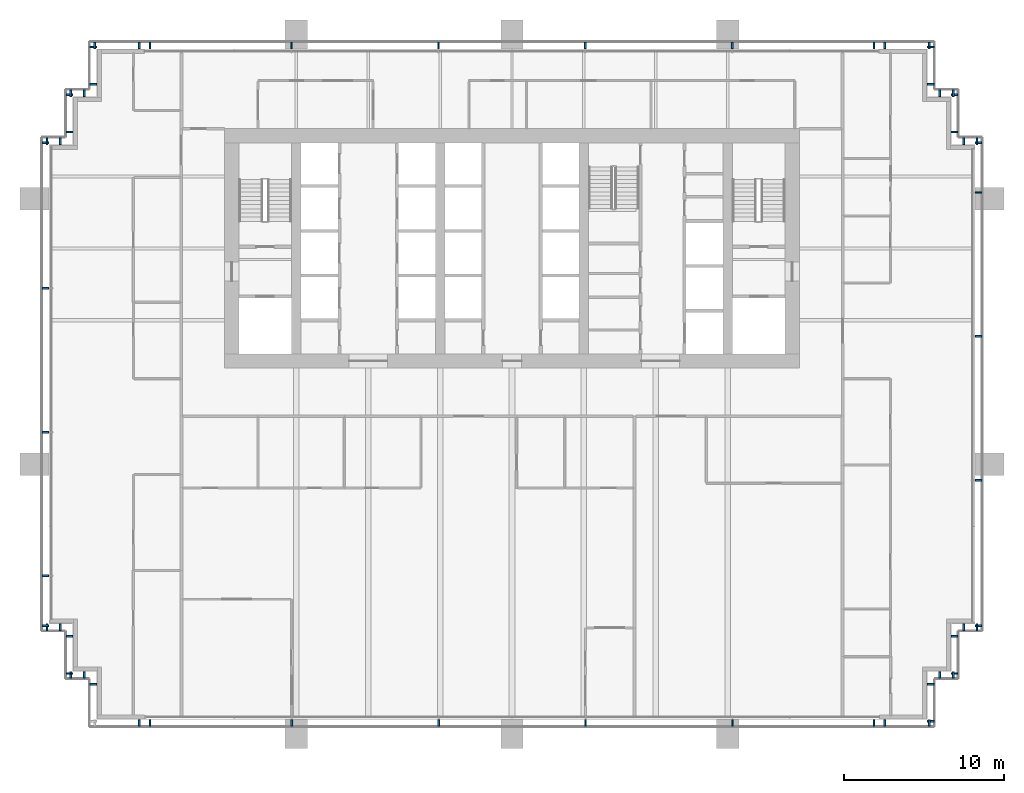
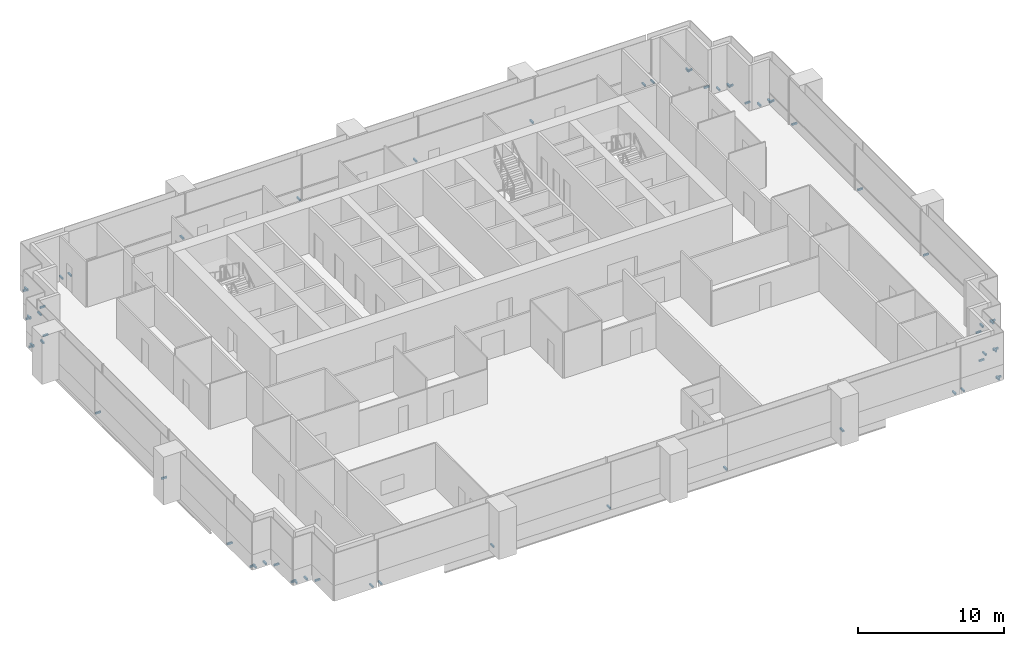
# One storey, part 15 of 18: 60 discrete accessories.
"""IFC4 building model written with IfcOpenShell, lengths in metres."""

from ifc_helpers import new_model, si_unit, direction, frame, origin, origin_2d, place, context, subcontext, project, spatial, rectangle, extrude, element, save


model = new_model("IFC4")

# Units and contexts
model_context = context("Model", 3, precision=1e-05, world=origin(), true_north=direction((0.0, 1.0)))
body_context = subcontext(model_context, "Body", "Model", "MODEL_VIEW")
ifc_project = project(units=[si_unit("LENGTHUNIT", "METRE"), si_unit("AREAUNIT", "SQUARE_METRE"), si_unit("VOLUMEUNIT", "CUBIC_METRE"), si_unit("PLANEANGLEUNIT", "RADIAN"), si_unit("MASSUNIT", "GRAM", prefix="KILO")], contexts=[model_context])

# Site, building, storey
site_placement = place(None, origin())
site = spatial("IfcSite", under=ifc_project, at=site_placement, CompositionType="ELEMENT")
building_placement = place(site_placement, origin())
building = spatial("IfcBuilding", under=site, at=building_placement, Name="Rattan Terrace Tower", CompositionType="ELEMENT")
storey_placement = place(building_placement, frame((0.0, 0.0, 134.10009765625)))
storey = spatial("IfcBuildingStorey", under=building, at=storey_placement, Name="L30", CompositionType="ELEMENT", Elevation=134.10009765625)

# Discrete accessories
for number, where, z_axis, x_axis, name in (
    (1, (23.340087890625, -29.7099609375, -0.169921875), (0.0, 0.0, 1.0), (1.0, 0.0, 0.0), "Panel bracket L30-1"),
    (2, (26.110107421875, -29.7099609375, -0.169921875), (0.0, 0.0, 1.0), (1.0, 0.0, 0.0), "Panel bracket L30-2"),
    (3, (26.2099609375, -29.610107421875, -0.169921875), (0.0, 0.0, 1.0), (0.0, 1.0, 0.0), "Panel bracket L30-3"),
    (4, (26.2099609375, -27.2900390625, -0.169921875), (0.0, 0.0, 1.0), (0.0, 1.0, 0.0), "Panel bracket L30-4"),
    (5, (26.7900390625, -26.7099609375, -0.169921875), (0.0, 0.0, 1.0), (1.0, 0.0, 0.0), "Panel bracket L30-5"),
    (6, (27.610107421875, -26.7099609375, -0.169921875), (0.0, 0.0, 1.0), (1.0, 0.0, 0.0), "Panel bracket L30-6"),
    (7, (27.7099609375, -26.610107421875, -0.169921875), (0.0, 0.0, 1.0), (0.0, 1.0, 0.0), "Panel bracket L30-7"),
    (8, (27.7099609375, -24.2900390625, -0.169921875), (0.0, 0.0, 1.0), (0.0, 1.0, 0.0), "Panel bracket L30-8"),
    (9, (28.2900390625, -23.7099609375, -0.169921875), (0.0, 0.0, 1.0), (1.0, 0.0, 0.0), "Panel bracket L30-9"),
    (10, (29.110107421875, -23.7099609375, -0.169921875), (0.0, 0.0, 1.0), (1.0, 0.0, 0.0), "Panel bracket L30-10"),
    (11, (29.2099609375, -23.610107421875, -0.169921875), (0.0, 0.0, 1.0), (0.0, 1.0, 0.0), "Panel bracket L30-11"),
    (12, (29.2099609375, -14.5, -0.169921875), (0.0, 0.0, 1.0), (0.0, 1.0, 0.0), "Panel bracket L30-12"),
    (13, (29.2099609375, -5.5, -0.169921875), (0.0, 0.0, 1.0), (0.0, 1.0, 0.0), "Panel bracket L30-13"),
    (14, (29.2099609375, 3.5, -0.169921875), (0.0, 0.0, 1.0), (0.0, 1.0, 0.0), "Panel bracket L30-14"),
    (15, (29.2099609375, 6.610107421875, -0.169921875), (0.0, 0.0, 1.0), (0.0, 1.0, 0.0), "Panel bracket L30-15"),
    (16, (29.110107421875, 6.7099609375, -0.169921875), (0.0, 0.0, 1.0), (-1.0, 0.0, 0.0), "Panel bracket L30-16"),
    (17, (28.2900390625, 6.7099609375, -0.169921875), (0.0, 0.0, 1.0), (-1.0, 0.0, 0.0), "Panel bracket L30-17"),
    (18, (27.7099609375, 7.2900390625, -0.169921875), (0.0, 0.0, 1.0), (0.0, 1.0, 0.0), "Panel bracket L30-18"),
    (19, (27.7099609375, 9.610107421875, -0.169921875), (0.0, 0.0, 1.0), (0.0, 1.0, 0.0), "Panel bracket L30-19"),
    (20, (27.610107421875, 9.7099609375, -0.169921875), (0.0, 0.0, 1.0), (-1.0, 0.0, 0.0), "Panel bracket L30-20"),
    (21, (26.7900390625, 9.7099609375, -0.169921875), (0.0, 0.0, 1.0), (-1.0, 0.0, 0.0), "Panel bracket L30-21"),
    (22, (26.2099609375, 10.2900390625, -0.169921875), (0.0, 0.0, 1.0), (0.0, 1.0, 0.0), "Panel bracket L30-22"),
    (23, (26.2099609375, 12.610107421875, -0.169921875), (0.0, 0.0, 1.0), (0.0, 1.0, 0.0), "Panel bracket L30-23"),
    (24, (26.110107421875, 12.7099609375, -0.169921875), (0.0, 0.0, 1.0), (-1.0, 0.0, 0.0), "Panel bracket L30-24"),
    (25, (23.340087890625, 12.7099609375, -0.169921875), (0.0, 0.0, 1.0), (-1.0, 0.0, 0.0), "Panel bracket L30-25"),
    (26, (22.659912109375, 12.7099609375, -0.169921875), (0.0, 0.0, 1.0), (-1.0, 0.0, 0.0), "Panel bracket L30-26"),
    (27, (13.799072265625, 12.7099609375, -0.169921875), (0.0, 0.0, 1.0), (-1.0, 0.0, 0.0), "Panel bracket L30-27"),
    (28, (4.597900390625, 12.7099609375, -0.169921875), (0.0, 0.0, 1.0), (-1.0, 0.0, 0.0), "Panel bracket L30-28"),
    (29, (-4.60302734375, 12.7099609375, -0.169921875), (0.0, 0.0, 1.0), (-1.0, 0.0, 0.0), "Panel bracket L30-29"),
    (30, (-13.803955078125, 12.7099609375, -0.169921875), (0.0, 0.0, 1.0), (-1.0, 0.0, 0.0), "Panel bracket L30-30"),
    (31, (-22.659912109375, 12.7099609375, -0.169921875), (0.0, 0.0, 1.0), (-1.0, 0.0, 0.0), "Panel bracket L30-31"),
    (32, (-23.340087890625, 12.7099609375, -0.169921875), (0.0, 0.0, 1.0), (-1.0, 0.0, 0.0), "Panel bracket L30-32"),
    (33, (-26.110107421875, 12.7099609375, -0.169921875), (0.0, 0.0, 1.0), (-1.0, 0.0, 0.0), "Panel bracket L30-33"),
    (34, (-26.2099609375, 12.610107421875, -0.169921875), (0.0, 0.0, 1.0), (0.0, -1.0, 0.0), "Panel bracket L30-34"),
    (35, (-26.2099609375, 10.2900390625, -0.169921875), (0.0, 0.0, 1.0), (0.0, -1.0, 0.0), "Panel bracket L30-35"),
    (36, (-26.7900390625, 9.7099609375, -0.169921875), (0.0, 0.0, 1.0), (-1.0, 0.0, 0.0), "Panel bracket L30-36"),
    (37, (-27.610107421875, 9.7099609375, -0.169921875), (0.0, 0.0, 1.0), (-1.0, 0.0, 0.0), "Panel bracket L30-37"),
    (38, (-27.7099609375, 9.610107421875, -0.169921875), (0.0, 0.0, 1.0), (0.0, -1.0, 0.0), "Panel bracket L30-38"),
    (39, (-27.7099609375, 7.2900390625, -0.169921875), (0.0, 0.0, 1.0), (0.0, -1.0, 0.0), "Panel bracket L30-39"),
    (40, (-28.2900390625, 6.7099609375, -0.169921875), (0.0, 0.0, 1.0), (-1.0, 0.0, 0.0), "Panel bracket L30-40"),
    (41, (-29.110107421875, 6.7099609375, -0.169921875), (0.0, 0.0, 1.0), (-1.0, 0.0, 0.0), "Panel bracket L30-41"),
    (42, (-29.2099609375, 6.610107421875, -0.169921875), (0.0, 0.0, 1.0), (0.0, -1.0, 0.0), "Panel bracket L30-42"),
    (43, (-29.2099609375, -2.5, -0.169921875), (0.0, 0.0, 1.0), (0.0, -1.0, 0.0), "Panel bracket L30-43"),
    (44, (-29.2099609375, -11.5, -0.169921875), (0.0, 0.0, 1.0), (0.0, -1.0, 0.0), "Panel bracket L30-44"),
    (45, (-29.2099609375, -20.5, -0.169921875), (0.0, 0.0, 1.0), (0.0, -1.0, 0.0), "Panel bracket L30-45"),
    (46, (-29.2099609375, -23.610107421875, -0.169921875), (0.0, 0.0, 1.0), (0.0, -1.0, 0.0), "Panel bracket L30-46"),
    (47, (-29.110107421875, -23.7099609375, -0.169921875), (0.0, 0.0, 1.0), (1.0, 0.0, 0.0), "Panel bracket L30-47"),
    (48, (-28.2900390625, -23.7099609375, -0.169921875), (0.0, 0.0, 1.0), (1.0, 0.0, 0.0), "Panel bracket L30-48"),
    (49, (-27.7099609375, -24.2900390625, -0.169921875), (0.0, 0.0, 1.0), (0.0, -1.0, 0.0), "Panel bracket L30-49"),
    (50, (-27.7099609375, -26.610107421875, -0.169921875), (0.0, 0.0, 1.0), (0.0, -1.0, 0.0), "Panel bracket L30-50"),
    (51, (-27.610107421875, -26.7099609375, -0.169921875), (0.0, 0.0, 1.0), (1.0, 0.0, 0.0), "Panel bracket L30-51"),
    (52, (-26.7900390625, -26.7099609375, -0.169921875), (0.0, 0.0, 1.0), (1.0, 0.0, 0.0), "Panel bracket L30-52"),
    (53, (-26.2099609375, -27.2900390625, -0.169921875), (0.0, 0.0, 1.0), (0.0, -1.0, 0.0), "Panel bracket L30-53"),
    (54, (-23.340087890625, -29.7099609375, -0.169921875), (0.0, 0.0, 1.0), (1.0, 0.0, 0.0), "Panel bracket L30-56"),
    (55, (-22.659912109375, -29.7099609375, -0.169921875), (0.0, 0.0, 1.0), (1.0, 0.0, 0.0), "Panel bracket L30-57"),
    (56, (-13.799072265625, -29.7099609375, -0.169921875), (0.0, 0.0, 1.0), (1.0, 0.0, 0.0), "Panel bracket L30-58"),
    (57, (-4.597900390625, -29.7099609375, -0.169921875), (0.0, 0.0, 1.0), (1.0, 0.0, 0.0), "Panel bracket L30-59"),
    (58, (4.60302734375, -29.7099609375, -0.169921875), (0.0, 0.0, 1.0), (1.0, 0.0, 0.0), "Panel bracket L30-60"),
    (59, (13.803955078125, -29.7099609375, -0.169921875), (0.0, 0.0, 1.0), (1.0, 0.0, 0.0), "Panel bracket L30-61"),
    (60, (22.659912109375, -29.7099609375, -0.169921875), (0.0, 0.0, 1.0), (1.0, 0.0, 0.0), "Panel bracket L30-62"),
):
    element("IfcDiscreteAccessory", number, at=place(storey_placement, frame(where, z_axis=z_axis, x_axis=x_axis)), inside=storey, Name=name, PredefinedType="BRACKET", context=body_context, shape_type="SweptSolid", body=[
        extrude(rectangle(XDim=0.1201171875, YDim=0.419921875, at=origin_2d()), origin(), (0.0, 0.0, 1.0), 0.139892578125),
    ])

save(model, "model.ifc")
